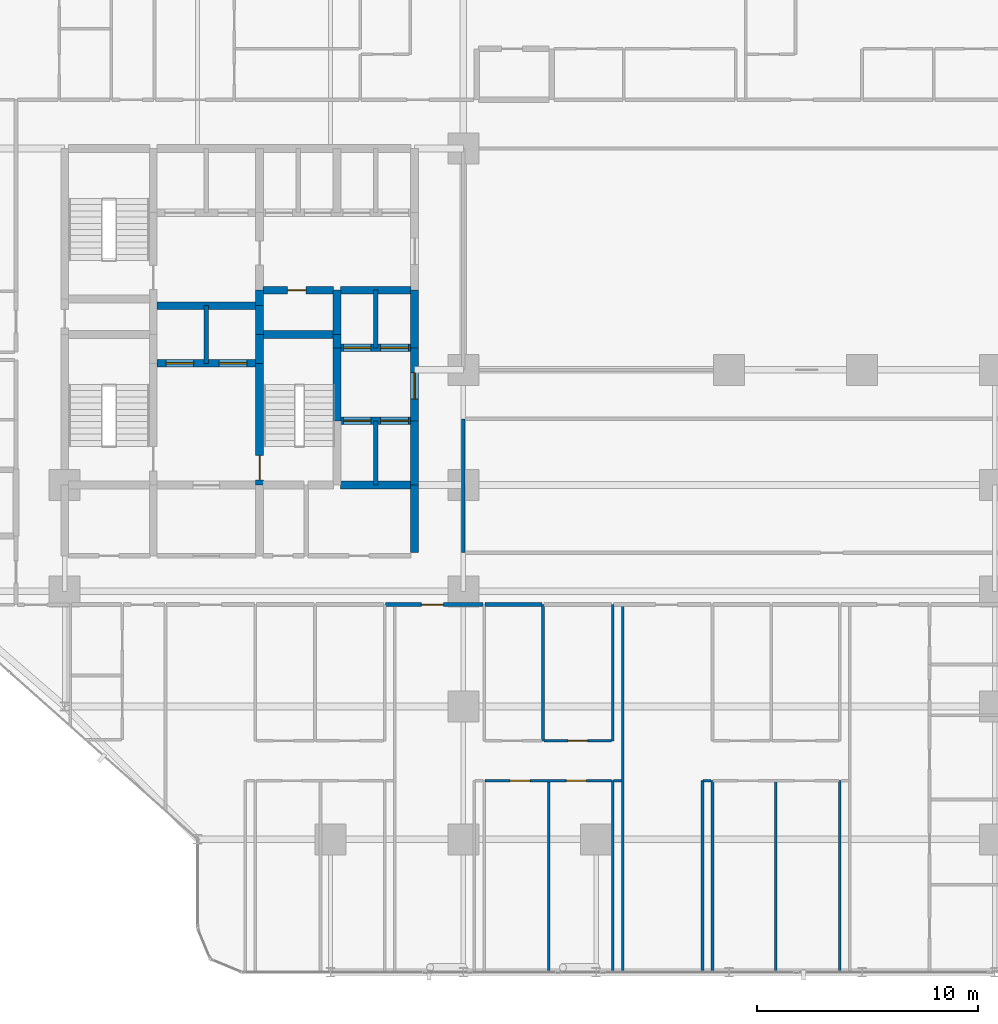
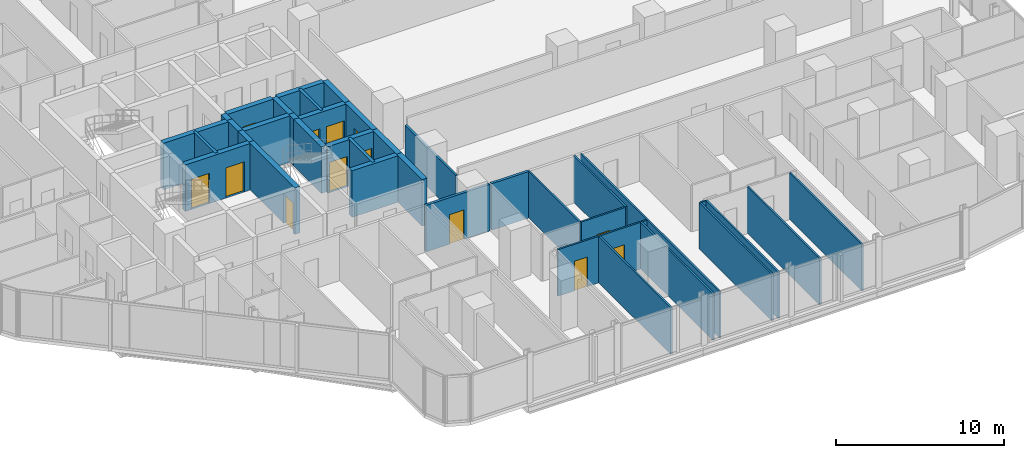
# One storey, part 28 of 34: 38 walls, 13 doors, 13 openings.
"""IFC4 building model written with IfcOpenShell, lengths in metres."""

from ifc_helpers import new_model, si_unit, direction, frame, frame_2d, origin, place, context, subcontext, project, spatial, rectangle, extrude, material, layer, layer_set, type_object, element, fill, save


model = new_model("IFC4")

# Units and contexts
model_context = context("Model", 3, precision=1e-05, world=origin(), true_north=direction((0.0, 1.0)))
body_context = subcontext(model_context, "Body", "Model", "MODEL_VIEW")
ifc_project = project(units=[si_unit("LENGTHUNIT", "METRE"), si_unit("AREAUNIT", "SQUARE_METRE"), si_unit("VOLUMEUNIT", "CUBIC_METRE"), si_unit("PLANEANGLEUNIT", "RADIAN"), si_unit("MASSUNIT", "GRAM", prefix="KILO")], contexts=[model_context])

# Site, building, storey
site_placement = place(None, origin())
site = spatial("IfcSite", under=ifc_project, at=site_placement, CompositionType="ELEMENT")
building_placement = place(site_placement, origin())
building = spatial("IfcBuilding", under=site, at=building_placement, Name="Keshet Zoharim Tower", CompositionType="ELEMENT")
storey_placement = place(building_placement, frame((0.0, 0.0, 31.39990234375)))
storey = spatial("IfcBuildingStorey", under=building, at=storey_placement, Name="L06", CompositionType="ELEMENT", Elevation=31.39990234375)

# Wall
ifc_material_1 = material(Name="Gypsum Plasterboard", Category="gypsum")
ifc_layer_1 = layer(ifc_material_1, 0.14990234375)
ifc_layer_set_1 = layer_set([ifc_layer_1], Name="Gypsum Plasterboard")
wall_type_1 = type_object("IfcWallType", Name="WL-CLIN-150", PredefinedType="STANDARD", material=ifc_layer_set_1)
wall_1_placement = place(storey_placement, frame((33.0, 19.659912109375, 0.0), z_axis=(0.0, 0.0, 1.0), x_axis=(0.0, 1.0, 0.0)))
element("IfcWall", 1, at=wall_1_placement, inside=storey, type_object=wall_type_1, Name="L06 Interior Wall 072", PredefinedType="STANDARD", context=body_context, shape_type="SweptSolid", body=[
    extrude(rectangle(XDim=6.030029296875, YDim=0.14990234375, at=frame_2d((3.01513671875, 0.0))), origin(), (0.0, 0.0, 1.0), 2.885009765625),
])

# Wall, opening, door
ifc_material_2 = material(Name="Concrete C60/75", Category="concrete")
ifc_layer_2 = layer(ifc_material_2, 0.35009765625)
ifc_layer_set_2 = layer_set([ifc_layer_2], Name="Concrete C60/75")
wall_type_2 = type_object("IfcWallType", Name="WL-CORE-350", PredefinedType="SHEAR", material=ifc_layer_set_2)
wall_2_placement = place(storey_placement, frame((23.800048828125, 22.699951171875, 0.0), z_axis=(0.0, 0.0, 1.0), x_axis=(0.0, 1.0, 0.0)))
wall_2 = element("IfcWall", 2, at=wall_2_placement, inside=storey, type_object=wall_type_2, Name="L06 Core Shear Wall 041", PredefinedType="SHEAR", context=body_context, shape_type="SweptSolid", body=[
    extrude(rectangle(XDim=5.5, YDim=0.35009765625, at=frame_2d((2.75, 0.0))), origin(), (0.0, 0.0, 1.0), 3.385009765625),
])
opening_1_placement = place(wall_2_placement, frame((0.235107421875, 0.0, 0.0)))
opening_1 = element("IfcOpeningElement", 3, at=opening_1_placement, cuts=wall_2, Name="Opening D-F611", PredefinedType="OPENING", context=body_context, shape_type="SweptSolid", body=[
    extrude(rectangle(XDim=1.10009765625, YDim=2.14990234375, at=frame_2d((0.550048828125, 1.074951171875))), frame((0.0, 0.18505859375, 0.0), z_axis=(0.0, -1.0, 0.0), x_axis=(1.0, 0.0, 0.0)), (0.0, 0.0, 1.0), 0.3701171875),
])
ifc_material_3 = material(Name="Hardwood Timber", Category="wood")
door_type_1 = type_object("IfcDoorType", Name="DR-FD60-110", OperationType="NOTDEFINED", PredefinedType="DOOR", material=ifc_material_3)
door_1_placement = place(opening_1_placement, frame((1.10009765625, 0.0, 0.0), z_axis=(0.0, 0.0, 1.0), x_axis=(-1.0, 0.0, 0.0)))
door_1 = element("IfcDoor", 4, at=door_1_placement, inside=storey, type_object=door_type_1, Name="L06 Exit Stair ST-03 Fire Door", OperationType="SINGLE_SWING_LEFT", OverallHeight=2.14990234375, OverallWidth=1.10009765625, PredefinedType="DOOR", context=body_context, shape_type="SweptSolid", body=[
    extrude(rectangle(XDim=1.10009765625, YDim=2.14990234375, at=frame_2d((0.550048828125, 1.074951171875))), frame((0.0, 0.02490234375, 0.0), z_axis=(0.0, -1.0, 0.0), x_axis=(1.0, 0.0, 0.0)), (0.0, 0.0, 1.0), 0.050048828125),
])
fill(opening_1, door_1)

# Walls
for number, where, z_axis, x_axis, name in (
    (5, (23.800048828125, 28.199951171875, 0.0), (0.0, 0.0, 1.0), (0.0, 1.0, 0.0), "L06 Core Shear Wall 042"),
    (6, (23.800048828125, 29.5, 0.0), (0.0, 0.0, 1.0), (0.0, 1.0, 0.0), "L06 Core Shear Wall 043"),
):
    element("IfcWall", number, at=place(storey_placement, frame(where, z_axis=z_axis, x_axis=x_axis)), inside=storey, type_object=wall_type_2, Name=name, PredefinedType="SHEAR", context=body_context, shape_type="SweptSolid", body=[
        extrude(rectangle(XDim=1.300048828125, YDim=0.35009765625, at=frame_2d((0.64990234375, 0.0))), origin(), (0.0, 0.0, 1.0), 3.385009765625),
    ])
wall_3_placement = place(storey_placement, frame((23.800048828125, 30.800048828125, 0.0), z_axis=(0.0, 0.0, 1.0), x_axis=(0.0, 1.0, 0.0)))
element("IfcWall", 7, at=wall_3_placement, inside=storey, type_object=wall_type_2, Name="L06 Core Shear Wall 044", PredefinedType="SHEAR", context=body_context, shape_type="SweptSolid", body=[
    extrude(rectangle(XDim=0.699951171875, YDim=0.35009765625, at=frame_2d((0.35009765625, 0.0))), origin(), (0.0, 0.0, 1.0), 3.385009765625),
])
wall_4_placement = place(storey_placement, frame((27.300048828125, 25.60009765625, 0.0), z_axis=(0.0, 0.0, 1.0), x_axis=(0.0, 1.0, 0.0)))
element("IfcWall", 8, at=wall_4_placement, inside=storey, type_object=wall_type_2, Name="L06 Core Shear Wall 052", PredefinedType="SHEAR", context=body_context, shape_type="SweptSolid", body=[
    extrude(rectangle(XDim=3.2998046875, YDim=0.35009765625, at=frame_2d((1.64990234375, 0.0))), origin(), (0.0, 0.0, 1.0), 3.385009765625),
])
wall_5_placement = place(storey_placement, frame((27.300048828125, 28.89990234375, 0.0), z_axis=(0.0, 0.0, 1.0), x_axis=(0.0, 1.0, 0.0)))
element("IfcWall", 9, at=wall_5_placement, inside=storey, type_object=wall_type_2, Name="L06 Core Shear Wall 053", PredefinedType="SHEAR", context=body_context, shape_type="SweptSolid", body=[
    extrude(rectangle(XDim=0.60009765625, YDim=0.35009765625, at=frame_2d((0.300048828125, 0.0))), origin(), (0.0, 0.0, 1.0), 3.385009765625),
])
wall_6_placement = place(storey_placement, frame((27.300048828125, 29.5, 0.0), z_axis=(0.0, 0.0, 1.0), x_axis=(0.0, 1.0, 0.0)))
element("IfcWall", 10, at=wall_6_placement, inside=storey, type_object=wall_type_2, Name="L06 Core Shear Wall 054", PredefinedType="SHEAR", context=body_context, shape_type="SweptSolid", body=[
    extrude(rectangle(XDim=2.0, YDim=0.35009765625, at=frame_2d((1.0, 0.0))), origin(), (0.0, 0.0, 1.0), 3.385009765625),
])
wall_7_placement = place(storey_placement, frame((30.800048828125, 19.64990234375, 0.0), z_axis=(0.0, 0.0, 1.0), x_axis=(0.0, 1.0, 0.0)))
element("IfcWall", 11, at=wall_7_placement, inside=storey, type_object=wall_type_2, Name="L06 Core Shear Wall 066", PredefinedType="SHEAR", context=body_context, shape_type="SweptSolid", body=[
    extrude(rectangle(XDim=3.050048828125, YDim=0.35009765625, at=frame_2d((1.52490234375, 0.0))), origin(), (0.0, 0.0, 1.0), 3.385009765625),
])
wall_8_placement = place(storey_placement, frame((30.800048828125, 22.699951171875, 0.0), z_axis=(0.0, 0.0, 1.0), x_axis=(0.0, 1.0, 0.0)))
element("IfcWall", 12, at=wall_8_placement, inside=storey, type_object=wall_type_2, Name="L06 Core Shear Wall 067", PredefinedType="SHEAR", context=body_context, shape_type="SweptSolid", body=[
    extrude(rectangle(XDim=2.900146484375, YDim=0.35009765625, at=frame_2d((1.4501953125, 0.0))), origin(), (0.0, 0.0, 1.0), 3.385009765625),
])

# Wall, opening, door
wall_9_placement = place(storey_placement, frame((30.800048828125, 25.60009765625, 0.0), z_axis=(0.0, 0.0, 1.0), x_axis=(0.0, 1.0, 0.0)))
wall_9 = element("IfcWall", 13, at=wall_9_placement, inside=storey, type_object=wall_type_2, Name="L06 Core Shear Wall 068", PredefinedType="SHEAR", context=body_context, shape_type="SweptSolid", body=[
    extrude(rectangle(XDim=3.2998046875, YDim=0.35009765625, at=frame_2d((1.64990234375, 0.0))), origin(), (0.0, 0.0, 1.0), 3.385009765625),
])
opening_2_placement = place(wall_9_placement, frame((0.97802734375, 0.0, 0.0)))
opening_2 = element("IfcOpeningElement", 14, at=opening_2_placement, cuts=wall_9, Name="Opening D-F612", PredefinedType="OPENING", context=body_context, shape_type="SweptSolid", body=[
    extrude(rectangle(XDim=1.199951171875, YDim=2.199951171875, at=frame_2d((0.60009765625, 1.10009765625))), frame((0.0, 0.18505859375, 0.0), z_axis=(0.0, -1.0, 0.0), x_axis=(1.0, 0.0, 0.0)), (0.0, 0.0, 1.0), 0.3701171875),
])
door_type_2 = type_object("IfcDoorType", Name="DR-FD60-120", OperationType="NOTDEFINED", PredefinedType="DOOR", material=ifc_material_3)
door_2_placement = place(opening_2_placement, origin())
door_2 = element("IfcDoor", 15, at=door_2_placement, inside=storey, type_object=door_type_2, Name="L06 East Lift Lobby Fire Door", OperationType="SINGLE_SWING_LEFT", OverallHeight=2.199951171875, OverallWidth=1.199951171875, PredefinedType="DOOR", context=body_context, shape_type="SweptSolid", body=[
    extrude(rectangle(XDim=1.199951171875, YDim=2.199951171875, at=frame_2d((0.60009765625, 1.10009765625))), frame((0.0, 0.02490234375, 0.0), z_axis=(0.0, -1.0, 0.0), x_axis=(1.0, 0.0, 0.0)), (0.0, 0.0, 1.0), 0.050048828125),
])
fill(opening_2, door_2)

# Walls
wall_10_placement = place(storey_placement, frame((30.800048828125, 28.89990234375, 0.0), z_axis=(0.0, 0.0, 1.0), x_axis=(0.0, 1.0, 0.0)))
element("IfcWall", 16, at=wall_10_placement, inside=storey, type_object=wall_type_2, Name="L06 Core Shear Wall 069", PredefinedType="SHEAR", context=body_context, shape_type="SweptSolid", body=[
    extrude(rectangle(XDim=2.60009765625, YDim=0.35009765625, at=frame_2d((1.300048828125, 0.0))), origin(), (0.0, 0.0, 1.0), 3.385009765625),
])
wall_11_placement = place(storey_placement, frame((27.4599609375, 22.699951171875, 0.0), z_axis=(0.0, 0.0, 1.0), x_axis=(1.0, 0.0, 0.0)))
element("IfcWall", 17, at=wall_11_placement, inside=storey, type_object=wall_type_2, Name="L06 Core Shear Wall 175", PredefinedType="SHEAR", context=body_context, shape_type="SweptSolid", body=[
    extrude(rectangle(XDim=3.179931640625, YDim=0.35009765625, at=frame_2d((1.58984375, 0.0))), origin(), (0.0, 0.0, 1.0), 3.385009765625),
])

# Wall, openings, doors
wall_12_placement = place(storey_placement, frame((27.4599609375, 25.60009765625, 0.0), z_axis=(0.0, 0.0, 1.0), x_axis=(1.0, 0.0, 0.0)))
wall_12 = element("IfcWall", 18, at=wall_12_placement, inside=storey, type_object=wall_type_2, Name="L06 Core Shear Wall 178", PredefinedType="SHEAR", context=body_context, shape_type="SweptSolid", body=[
    extrude(rectangle(XDim=3.179931640625, YDim=0.35009765625, at=frame_2d((1.58984375, 0.0))), origin(), (0.0, 0.0, 1.0), 3.385009765625),
])
opening_3_placement = place(wall_12_placement, frame((0.1201171875, 0.0, 0.0)))
opening_3 = element("IfcOpeningElement", 19, at=opening_3_placement, cuts=wall_12, Name="Opening LD-01", PredefinedType="OPENING", context=body_context, shape_type="SweptSolid", body=[
    extrude(rectangle(XDim=1.25, YDim=2.199951171875, at=frame_2d((0.625, 1.10009765625))), frame((0.0, 0.18505859375, 0.0), z_axis=(0.0, -1.0, 0.0), x_axis=(1.0, 0.0, 0.0)), (0.0, 0.0, 1.0), 0.3701171875),
])
opening_4_placement = place(wall_12_placement, frame((1.81005859375, 0.0, 0.0)))
opening_4 = element("IfcOpeningElement", 20, at=opening_4_placement, cuts=wall_12, Name="Opening LD-01", PredefinedType="OPENING", context=body_context, shape_type="SweptSolid", body=[
    extrude(rectangle(XDim=1.25, YDim=2.199951171875, at=frame_2d((0.625, 1.10009765625))), frame((0.0, 0.18505859375, 0.0), z_axis=(0.0, -1.0, 0.0), x_axis=(1.0, 0.0, 0.0)), (0.0, 0.0, 1.0), 0.3701171875),
])
ifc_material_4 = material(Name="Steel S355", Category="steel")
door_type_3 = type_object("IfcDoorType", Name="DR-LD01-125", OperationType="DOUBLE_DOOR_SLIDING", PredefinedType="DOOR", material=ifc_material_4)
door_3_placement = place(opening_3_placement, origin())
door_3 = element("IfcDoor", 21, at=door_3_placement, inside=storey, type_object=door_type_3, Name="L06 Passenger Lift Landing Door LF-07", OperationType="DOUBLE_DOOR_SLIDING", OverallHeight=2.199951171875, OverallWidth=1.25, PredefinedType="DOOR", context=body_context, shape_type="SweptSolid", body=[
    extrude(rectangle(XDim=1.25, YDim=2.199951171875, at=frame_2d((0.625, 1.10009765625))), frame((0.0, 0.02490234375, 0.0), z_axis=(0.0, -1.0, 0.0), x_axis=(1.0, 0.0, 0.0)), (0.0, 0.0, 1.0), 0.050048828125),
])
fill(opening_3, door_3)
door_4_placement = place(opening_4_placement, origin())
door_4 = element("IfcDoor", 22, at=door_4_placement, inside=storey, type_object=door_type_3, Name="L06 Passenger Lift Landing Door LF-08", OperationType="DOUBLE_DOOR_SLIDING", OverallHeight=2.199951171875, OverallWidth=1.25, PredefinedType="DOOR", context=body_context, shape_type="SweptSolid", body=[
    extrude(rectangle(XDim=1.25, YDim=2.199951171875, at=frame_2d((0.625, 1.10009765625))), frame((0.0, 0.02490234375, 0.0), z_axis=(0.0, -1.0, 0.0), x_axis=(1.0, 0.0, 0.0)), (0.0, 0.0, 1.0), 0.050048828125),
])
fill(opening_4, door_4)

wall_13_placement = place(storey_placement, frame((19.159912109375, 28.199951171875, 0.0), z_axis=(0.0, 0.0, 1.0), x_axis=(1.0, 0.0, 0.0)))
wall_13 = element("IfcWall", 23, at=wall_13_placement, inside=storey, type_object=wall_type_2, Name="L06 Core Shear Wall 183", PredefinedType="SHEAR", context=body_context, shape_type="SweptSolid", body=[
    extrude(rectangle(XDim=4.47998046875, YDim=0.35009765625, at=frame_2d((2.239990234375, 0.0))), origin(), (0.0, 0.0, 1.0), 3.385009765625),
])
opening_5_placement = place(wall_13_placement, frame((0.4150390625, 0.0, 0.0)))
opening_5 = element("IfcOpeningElement", 24, at=opening_5_placement, cuts=wall_13, Name="Opening LD-01", PredefinedType="OPENING", context=body_context, shape_type="SweptSolid", body=[
    extrude(rectangle(XDim=1.25, YDim=2.199951171875, at=frame_2d((0.625, 1.10009765625))), frame((0.0, 0.18505859375, 0.0), z_axis=(0.0, -1.0, 0.0), x_axis=(1.0, 0.0, 0.0)), (0.0, 0.0, 1.0), 0.3701171875),
])
opening_6_placement = place(wall_13_placement, frame((2.81494140625, 0.0, 0.0)))
opening_6 = element("IfcOpeningElement", 25, at=opening_6_placement, cuts=wall_13, Name="Opening LD-01", PredefinedType="OPENING", context=body_context, shape_type="SweptSolid", body=[
    extrude(rectangle(XDim=1.25, YDim=2.199951171875, at=frame_2d((0.625, 1.10009765625))), frame((0.0, 0.18505859375, 0.0), z_axis=(0.0, -1.0, 0.0), x_axis=(1.0, 0.0, 0.0)), (0.0, 0.0, 1.0), 0.3701171875),
])
door_5_placement = place(opening_5_placement, origin())
door_5 = element("IfcDoor", 26, at=door_5_placement, inside=storey, type_object=door_type_3, Name="L06 Passenger Lift Landing Door LF-09", OperationType="DOUBLE_DOOR_SLIDING", OverallHeight=2.199951171875, OverallWidth=1.25, PredefinedType="DOOR", context=body_context, shape_type="SweptSolid", body=[
    extrude(rectangle(XDim=1.25, YDim=2.199951171875, at=frame_2d((0.625, 1.10009765625))), frame((0.0, 0.02490234375, 0.0), z_axis=(0.0, -1.0, 0.0), x_axis=(1.0, 0.0, 0.0)), (0.0, 0.0, 1.0), 0.050048828125),
])
fill(opening_5, door_5)
door_6_placement = place(opening_6_placement, origin())
door_6 = element("IfcDoor", 27, at=door_6_placement, inside=storey, type_object=door_type_3, Name="L06 Passenger Lift Landing Door LF-10", OperationType="DOUBLE_DOOR_SLIDING", OverallHeight=2.199951171875, OverallWidth=1.25, PredefinedType="DOOR", context=body_context, shape_type="SweptSolid", body=[
    extrude(rectangle(XDim=1.25, YDim=2.199951171875, at=frame_2d((0.625, 1.10009765625))), frame((0.0, 0.02490234375, 0.0), z_axis=(0.0, -1.0, 0.0), x_axis=(1.0, 0.0, 0.0)), (0.0, 0.0, 1.0), 0.050048828125),
])
fill(opening_6, door_6)

wall_14_placement = place(storey_placement, frame((27.4599609375, 28.89990234375, 0.0), z_axis=(0.0, 0.0, 1.0), x_axis=(1.0, 0.0, 0.0)))
wall_14 = element("IfcWall", 28, at=wall_14_placement, inside=storey, type_object=wall_type_2, Name="L06 Core Shear Wall 188", PredefinedType="SHEAR", context=body_context, shape_type="SweptSolid", body=[
    extrude(rectangle(XDim=3.179931640625, YDim=0.35009765625, at=frame_2d((1.58984375, 0.0))), origin(), (0.0, 0.0, 1.0), 3.385009765625),
])
opening_7_placement = place(wall_14_placement, frame((0.1201171875, 0.0, 0.0)))
opening_7 = element("IfcOpeningElement", 29, at=opening_7_placement, cuts=wall_14, Name="Opening LD-01", PredefinedType="OPENING", context=body_context, shape_type="SweptSolid", body=[
    extrude(rectangle(XDim=1.25, YDim=2.199951171875, at=frame_2d((0.625, 1.10009765625))), frame((0.0, 0.18505859375, 0.0), z_axis=(0.0, -1.0, 0.0), x_axis=(1.0, 0.0, 0.0)), (0.0, 0.0, 1.0), 0.3701171875),
])
opening_8_placement = place(wall_14_placement, frame((1.81005859375, 0.0, 0.0)))
opening_8 = element("IfcOpeningElement", 30, at=opening_8_placement, cuts=wall_14, Name="Opening LD-01", PredefinedType="OPENING", context=body_context, shape_type="SweptSolid", body=[
    extrude(rectangle(XDim=1.25, YDim=2.199951171875, at=frame_2d((0.625, 1.10009765625))), frame((0.0, 0.18505859375, 0.0), z_axis=(0.0, -1.0, 0.0), x_axis=(1.0, 0.0, 0.0)), (0.0, 0.0, 1.0), 0.3701171875),
])
door_7_placement = place(opening_7_placement, origin())
door_7 = element("IfcDoor", 31, at=door_7_placement, inside=storey, type_object=door_type_3, Name="L06 Passenger Lift Landing Door LF-05", OperationType="DOUBLE_DOOR_SLIDING", OverallHeight=2.199951171875, OverallWidth=1.25, PredefinedType="DOOR", context=body_context, shape_type="SweptSolid", body=[
    extrude(rectangle(XDim=1.25, YDim=2.199951171875, at=frame_2d((0.625, 1.10009765625))), frame((0.0, 0.02490234375, 0.0), z_axis=(0.0, -1.0, 0.0), x_axis=(1.0, 0.0, 0.0)), (0.0, 0.0, 1.0), 0.050048828125),
])
fill(opening_7, door_7)
door_8_placement = place(opening_8_placement, origin())
door_8 = element("IfcDoor", 32, at=door_8_placement, inside=storey, type_object=door_type_3, Name="L06 Passenger Lift Landing Door LF-06", OperationType="DOUBLE_DOOR_SLIDING", OverallHeight=2.199951171875, OverallWidth=1.25, PredefinedType="DOOR", context=body_context, shape_type="SweptSolid", body=[
    extrude(rectangle(XDim=1.25, YDim=2.199951171875, at=frame_2d((0.625, 1.10009765625))), frame((0.0, 0.02490234375, 0.0), z_axis=(0.0, -1.0, 0.0), x_axis=(1.0, 0.0, 0.0)), (0.0, 0.0, 1.0), 0.050048828125),
])
fill(opening_8, door_8)

# Walls
wall_15_placement = place(storey_placement, frame((23.9599609375, 29.5, 0.0), z_axis=(0.0, 0.0, 1.0), x_axis=(1.0, 0.0, 0.0)))
element("IfcWall", 33, at=wall_15_placement, inside=storey, type_object=wall_type_2, Name="L06 Core Shear Wall 190", PredefinedType="SHEAR", context=body_context, shape_type="SweptSolid", body=[
    extrude(rectangle(XDim=3.179931640625, YDim=0.35009765625, at=frame_2d((1.58984375, 0.0))), origin(), (0.0, 0.0, 1.0), 3.385009765625),
])
wall_16_placement = place(storey_placement, frame((19.159912109375, 30.800048828125, 0.0), z_axis=(0.0, 0.0, 1.0), x_axis=(1.0, 0.0, 0.0)))
element("IfcWall", 34, at=wall_16_placement, inside=storey, type_object=wall_type_2, Name="L06 Core Shear Wall 191", PredefinedType="SHEAR", context=body_context, shape_type="SweptSolid", body=[
    extrude(rectangle(XDim=4.47998046875, YDim=0.35009765625, at=frame_2d((2.239990234375, 0.0))), origin(), (0.0, 0.0, 1.0), 3.385009765625),
])

# Wall, opening, door
wall_17_placement = place(storey_placement, frame((23.9599609375, 31.5, 0.0), z_axis=(0.0, 0.0, 1.0), x_axis=(1.0, 0.0, 0.0)))
wall_17 = element("IfcWall", 35, at=wall_17_placement, inside=storey, type_object=wall_type_2, Name="L06 Core Shear Wall 195", PredefinedType="SHEAR", context=body_context, shape_type="SweptSolid", body=[
    extrude(rectangle(XDim=3.179931640625, YDim=0.35009765625, at=frame_2d((1.58984375, 0.0))), origin(), (0.0, 0.0, 1.0), 3.385009765625),
])
opening_9_placement = place(wall_17_placement, frame((1.093994140625, 0.0, 0.0)))
opening_9 = element("IfcOpeningElement", 36, at=opening_9_placement, cuts=wall_17, Name="Opening D-RS85", PredefinedType="OPENING", context=body_context, shape_type="SweptSolid", body=[
    extrude(rectangle(XDim=0.85009765625, YDim=2.10009765625, at=frame_2d((0.425048828125, 1.050048828125))), frame((0.0, 0.18505859375, 0.0), z_axis=(0.0, -1.0, 0.0), x_axis=(1.0, 0.0, 0.0)), (0.0, 0.0, 1.0), 0.3701171875),
])
door_type_4 = type_object("IfcDoorType", Name="DR-RIS-085", OperationType="NOTDEFINED", PredefinedType="DOOR", material=ifc_material_3)
door_9_placement = place(opening_9_placement, origin())
door_9 = element("IfcDoor", 37, at=door_9_placement, inside=storey, type_object=door_type_4, Name="L06 Telecom Riser Access Cupboard Door", OperationType="SINGLE_SWING_RIGHT", OverallHeight=2.10009765625, OverallWidth=0.85009765625, PredefinedType="DOOR", context=body_context, shape_type="SweptSolid", body=[
    extrude(rectangle(XDim=0.85009765625, YDim=2.10009765625, at=frame_2d((0.425048828125, 1.050048828125))), frame((0.0, 0.02490234375, 0.0), z_axis=(0.0, -1.0, 0.0), x_axis=(1.0, 0.0, 0.0)), (0.0, 0.0, 1.0), 0.050048828125),
])
fill(opening_9, door_9)

# Wall
wall_18_placement = place(storey_placement, frame((27.4599609375, 31.5, 0.0), z_axis=(0.0, 0.0, 1.0), x_axis=(1.0, 0.0, 0.0)))
element("IfcWall", 38, at=wall_18_placement, inside=storey, type_object=wall_type_2, Name="L06 Core Shear Wall 196", PredefinedType="SHEAR", context=body_context, shape_type="SweptSolid", body=[
    extrude(rectangle(XDim=3.179931640625, YDim=0.35009765625, at=frame_2d((1.58984375, 0.0))), origin(), (0.0, 0.0, 1.0), 3.385009765625),
])

# Wall, opening, door
ifc_layer_3 = layer(ifc_material_1, 0.179931640625)
ifc_layer_set_3 = layer_set([ifc_layer_3], Name="Gypsum Plasterboard")
wall_type_3 = type_object("IfcWallType", Name="WL-CORR-180", PredefinedType="STANDARD", material=ifc_layer_set_3)
wall_19_placement = place(storey_placement, frame((29.485107421875, 17.300048828125, 0.0), z_axis=(0.0, 0.0, 1.0), x_axis=(1.0, 0.0, 0.0)))
wall_19 = element("IfcWall", 39, at=wall_19_placement, inside=storey, type_object=wall_type_3, Name="L06 Interior Wall 152", PredefinedType="STANDARD", context=body_context, shape_type="SweptSolid", body=[
    extrude(rectangle(XDim=4.409912109375, YDim=0.179931640625, at=frame_2d((2.205078125, 0.0))), origin(), (0.0, 0.0, 1.0), 3.385009765625),
])
opening_10_placement = place(wall_19_placement, frame((1.616943359375, 0.0, 0.0)))
opening_10 = element("IfcOpeningElement", 40, at=opening_10_placement, cuts=wall_19, Name="Opening D-F310", PredefinedType="OPENING", context=body_context, shape_type="SweptSolid", body=[
    extrude(rectangle(XDim=1.0, YDim=2.14990234375, at=frame_2d((0.5, 1.074951171875))), frame((0.0, 0.10009765625, 0.0), z_axis=(0.0, -1.0, 0.0), x_axis=(1.0, 0.0, 0.0)), (0.0, 0.0, 1.0), 0.199951171875),
])
door_type_5 = type_object("IfcDoorType", Name="DR-FD30-100", OperationType="NOTDEFINED", PredefinedType="DOOR", material=ifc_material_3)
door_10_placement = place(opening_10_placement, origin())
door_10 = element("IfcDoor", 41, at=door_10_placement, inside=storey, type_object=door_type_5, Name="Apartment 0603 Entrance Door", OperationType="SINGLE_SWING_LEFT", OverallHeight=2.14990234375, OverallWidth=1.0, PredefinedType="DOOR", context=body_context, shape_type="SweptSolid", body=[
    extrude(rectangle(XDim=1.0, YDim=2.14990234375, at=frame_2d((0.5, 1.074951171875))), frame((0.0, 0.02490234375, 0.0), z_axis=(0.0, -1.0, 0.0), x_axis=(1.0, 0.0, 0.0)), (0.0, 0.0, 1.0), 0.050048828125),
])
fill(opening_10, door_10)

# Walls
wall_20_placement = place(storey_placement, frame((33.985107421875, 17.300048828125, 0.0), z_axis=(0.0, 0.0, 1.0), x_axis=(1.0, 0.0, 0.0)))
element("IfcWall", 42, at=wall_20_placement, inside=storey, type_object=wall_type_3, Name="L06 Interior Wall 153", PredefinedType="STANDARD", context=body_context, shape_type="SweptSolid", body=[
    extrude(rectangle(XDim=2.572998046875, YDim=0.179931640625, at=frame_2d((1.28662109375, 0.0))), origin(), (0.0, 0.0, 1.0), 3.385009765625),
])
ifc_material_5 = material(Name="Concrete C50/60", Category="concrete")
ifc_layer_4 = layer(ifc_material_5, 0.199951171875)
ifc_layer_set_4 = layer_set([ifc_layer_4], Name="Concrete C50/60")
wall_type_4 = type_object("IfcWallType", Name="WL-FIRE-200", PredefinedType="STANDARD", material=ifc_layer_set_4)
wall_21_placement = place(storey_placement, frame((21.39990234375, 28.199951171875, 0.0), z_axis=(0.0, 0.0, 1.0), x_axis=(0.0, 1.0, 0.0)))
element("IfcWall", 43, at=wall_21_placement, inside=storey, type_object=wall_type_4, Name="L06 Interior Wall 032", PredefinedType="STANDARD", context=body_context, shape_type="SweptSolid", body=[
    extrude(rectangle(XDim=2.60009765625, YDim=0.199951171875, at=frame_2d((1.300048828125, 0.0))), origin(), (0.0, 0.0, 1.0), 3.385009765625),
])
wall_22_placement = place(storey_placement, frame((29.050048828125, 22.699951171875, 0.0), z_axis=(0.0, 0.0, 1.0), x_axis=(0.0, 1.0, 0.0)))
element("IfcWall", 44, at=wall_22_placement, inside=storey, type_object=wall_type_4, Name="L06 Interior Wall 059", PredefinedType="STANDARD", context=body_context, shape_type="SweptSolid", body=[
    extrude(rectangle(XDim=2.900146484375, YDim=0.199951171875, at=frame_2d((1.4501953125, 0.0))), origin(), (0.0, 0.0, 1.0), 3.385009765625),
])
wall_23_placement = place(storey_placement, frame((29.050048828125, 28.89990234375, 0.0), z_axis=(0.0, 0.0, 1.0), x_axis=(0.0, 1.0, 0.0)))
element("IfcWall", 45, at=wall_23_placement, inside=storey, type_object=wall_type_4, Name="L06 Interior Wall 060", PredefinedType="STANDARD", context=body_context, shape_type="SweptSolid", body=[
    extrude(rectangle(XDim=2.60009765625, YDim=0.199951171875, at=frame_2d((1.300048828125, 0.0))), origin(), (0.0, 0.0, 1.0), 3.385009765625),
])
ifc_layer_5 = layer(ifc_material_1, 0.1201171875)
ifc_layer_set_5 = layer_set([ifc_layer_5], Name="Gypsum Plasterboard")
wall_type_5 = type_object("IfcWallType", Name="WL-PART-120", PredefinedType="PARTITIONING", material=ifc_layer_set_5)
for number, where, z_axis, x_axis, name in (
    (46, (36.85009765625, 0.7099609375, 0.0), (0.0, 0.0, 1.0), (0.0, 1.0, 0.0), "L06 Interior Wall 082"),
    (47, (39.75, 0.7099609375, 0.0), (0.0, 0.0, 1.0), (0.0, 1.0, 0.0), "L06 Interior Wall 085"),
):
    element("IfcWall", number, at=place(storey_placement, frame(where, z_axis=z_axis, x_axis=x_axis)), inside=storey, type_object=wall_type_5, Name=name, PredefinedType="PARTITIONING", context=body_context, shape_type="SweptSolid", body=[
        extrude(rectangle(XDim=8.64013671875, YDim=0.1201171875, at=frame_2d((4.320068359375, 0.0))), origin(), (0.0, 0.0, 1.0), 3.385009765625),
    ])
wall_24_placement = place(storey_placement, frame((40.199951171875, 0.7099609375, 0.0), z_axis=(0.0, 0.0, 1.0), x_axis=(0.0, 1.0, 0.0)))
element("IfcWall", 48, at=wall_24_placement, inside=storey, type_object=wall_type_5, Name="L06 Interior Wall 087", PredefinedType="PARTITIONING", context=body_context, shape_type="SweptSolid", body=[
    extrude(rectangle(XDim=16.590087890625, YDim=0.1201171875, at=frame_2d((8.294921875, 0.0))), origin(), (0.0, 0.0, 1.0), 3.385009765625),
])
for number, where, z_axis, x_axis, name in (
    (49, (43.800048828125, 0.7099609375, 0.0), (0.0, 0.0, 1.0), (0.0, 1.0, 0.0), "L06 Interior Wall 090"),
    (50, (44.25, 0.7099609375, 0.0), (0.0, 0.0, 1.0), (0.0, 1.0, 0.0), "L06 Interior Wall 091"),
    (51, (47.10009765625, 0.7099609375, 0.0), (0.0, 0.0, 1.0), (0.0, 1.0, 0.0), "L06 Interior Wall 099"),
    (52, (50.0, 0.7099609375, 0.0), (0.0, 0.0, 1.0), (0.0, 1.0, 0.0), "L06 Interior Wall 101"),
):
    element("IfcWall", number, at=place(storey_placement, frame(where, z_axis=z_axis, x_axis=x_axis)), inside=storey, type_object=wall_type_5, Name=name, PredefinedType="PARTITIONING", context=body_context, shape_type="SweptSolid", body=[
        extrude(rectangle(XDim=8.64013671875, YDim=0.1201171875, at=frame_2d((4.320068359375, 0.0))), origin(), (0.0, 0.0, 1.0), 3.385009765625),
    ])

# Wall, openings, doors
wall_25_placement = place(storey_placement, frame((33.985107421875, 9.35009765625, 0.0), z_axis=(0.0, 0.0, 1.0), x_axis=(1.0, 0.0, 0.0)))
wall_25 = element("IfcWall", 53, at=wall_25_placement, inside=storey, type_object=wall_type_5, Name="L06 Interior Wall 128", PredefinedType="PARTITIONING", context=body_context, shape_type="SweptSolid", body=[
    extrude(rectangle(XDim=5.699951171875, YDim=0.1201171875, at=frame_2d((2.85009765625, 0.0))), origin(), (0.0, 0.0, 1.0), 3.385009765625),
])
opening_11_placement = place(wall_25_placement, frame((1.126953125, 0.0, 0.0)))
opening_11 = element("IfcOpeningElement", 54, at=opening_11_placement, cuts=wall_25, Name="Opening D-IN90", PredefinedType="OPENING", context=body_context, shape_type="SweptSolid", body=[
    extrude(rectangle(XDim=0.89990234375, YDim=2.14990234375, at=frame_2d((0.449951171875, 1.074951171875))), frame((0.0, 0.070068359375, 0.0), z_axis=(0.0, -1.0, 0.0), x_axis=(1.0, 0.0, 0.0)), (0.0, 0.0, 1.0), 0.14013671875),
])
opening_12_placement = place(wall_25_placement, frame((3.673095703125, 0.0, 0.0)))
opening_12 = element("IfcOpeningElement", 55, at=opening_12_placement, cuts=wall_25, Name="Opening D-IN90", PredefinedType="OPENING", context=body_context, shape_type="SweptSolid", body=[
    extrude(rectangle(XDim=0.89990234375, YDim=2.14990234375, at=frame_2d((0.449951171875, 1.074951171875))), frame((0.0, 0.070068359375, 0.0), z_axis=(0.0, -1.0, 0.0), x_axis=(1.0, 0.0, 0.0)), (0.0, 0.0, 1.0), 0.14013671875),
])
door_type_6 = type_object("IfcDoorType", Name="DR-INT-090", OperationType="NOTDEFINED", PredefinedType="DOOR", material=ifc_material_3)
door_11_placement = place(opening_11_placement, origin())
door_11 = element("IfcDoor", 56, at=door_11_placement, inside=storey, type_object=door_type_6, Name="Apartment 0603 Bedroom 1 Door", OperationType="SINGLE_SWING_RIGHT", OverallHeight=2.14990234375, OverallWidth=0.89990234375, PredefinedType="DOOR", context=body_context, shape_type="SweptSolid", body=[
    extrude(rectangle(XDim=0.89990234375, YDim=2.14990234375, at=frame_2d((0.449951171875, 1.074951171875))), frame((0.0, 0.02490234375, 0.0), z_axis=(0.0, -1.0, 0.0), x_axis=(1.0, 0.0, 0.0)), (0.0, 0.0, 1.0), 0.050048828125),
])
fill(opening_11, door_11)
door_12_placement = place(opening_12_placement, origin())
door_12 = element("IfcDoor", 57, at=door_12_placement, inside=storey, type_object=door_type_6, Name="Apartment 0603 Bedroom 2 Door", OperationType="SINGLE_SWING_LEFT", OverallHeight=2.14990234375, OverallWidth=0.89990234375, PredefinedType="DOOR", context=body_context, shape_type="SweptSolid", body=[
    extrude(rectangle(XDim=0.89990234375, YDim=2.14990234375, at=frame_2d((0.449951171875, 1.074951171875))), frame((0.0, 0.02490234375, 0.0), z_axis=(0.0, -1.0, 0.0), x_axis=(1.0, 0.0, 0.0)), (0.0, 0.0, 1.0), 0.050048828125),
])
fill(opening_12, door_12)

# Walls
for number, where, z_axis, x_axis, name in (
    (58, (39.77490234375, 9.35009765625, 0.0), (0.0, 0.0, 1.0), (1.0, 0.0, 0.0), "L06 Interior Wall 129"),
    (59, (43.824951171875, 9.35009765625, 0.0), (0.0, 0.0, 1.0), (1.0, 0.0, 0.0), "L06 Interior Wall 130"),
):
    element("IfcWall", number, at=place(storey_placement, frame(where, z_axis=z_axis, x_axis=x_axis)), inside=storey, type_object=wall_type_5, Name=name, PredefinedType="PARTITIONING", context=body_context, shape_type="SweptSolid", body=[
        extrude(rectangle(XDim=0.360107421875, YDim=0.1201171875, at=frame_2d((0.18017578125, 0.0))), origin(), (0.0, 0.0, 1.0), 3.385009765625),
    ])
ifc_layer_6 = layer(ifc_material_1, 0.1201171875)
ifc_layer_set_6 = layer_set([ifc_layer_6], Name="Gypsum Plasterboard")
wall_type_6 = type_object("IfcWallType", Name="WL-WET-120", PredefinedType="PARTITIONING", material=ifc_layer_set_6)
for number, where, z_axis, x_axis, name in (
    (60, (36.60009765625, 11.14990234375, 0.0), (0.0, 0.0, 1.0), (0.0, 1.0, 0.0), "L06 Interior Wall 081"),
    (61, (39.75, 11.14990234375, 0.0), (0.0, 0.0, 1.0), (0.0, 1.0, 0.0), "L06 Interior Wall 086"),
):
    element("IfcWall", number, at=place(storey_placement, frame(where, z_axis=z_axis, x_axis=x_axis)), inside=storey, type_object=wall_type_6, Name=name, PredefinedType="PARTITIONING", context=body_context, shape_type="SweptSolid", body=[
        extrude(rectangle(XDim=6.150146484375, YDim=0.1201171875, at=frame_2d((3.0751953125, 0.0))), origin(), (0.0, 0.0, 1.0), 3.385009765625),
    ])

# Wall, opening, door
wall_26_placement = place(storey_placement, frame((36.64794921875, 11.14990234375, 0.0), z_axis=(0.0, 0.0, 1.0), x_axis=(1.0, 0.0, 0.0)))
wall_26 = element("IfcWall", 62, at=wall_26_placement, inside=storey, type_object=wall_type_6, Name="L06 Interior Wall 136", PredefinedType="PARTITIONING", context=body_context, shape_type="SweptSolid", body=[
    extrude(rectangle(XDim=3.037109375, YDim=0.1201171875, at=frame_2d((1.5185546875, 0.0))), origin(), (0.0, 0.0, 1.0), 3.385009765625),
])
opening_13_placement = place(wall_26_placement, frame((1.068115234375, 0.0, 0.0)))
opening_13 = element("IfcOpeningElement", 63, at=opening_13_placement, cuts=wall_26, Name="Opening D-WT90", PredefinedType="OPENING", context=body_context, shape_type="SweptSolid", body=[
    extrude(rectangle(XDim=0.89990234375, YDim=2.10009765625, at=frame_2d((0.449951171875, 1.050048828125))), frame((0.0, 0.070068359375, 0.0), z_axis=(0.0, -1.0, 0.0), x_axis=(1.0, 0.0, 0.0)), (0.0, 0.0, 1.0), 0.14013671875),
])
door_type_7 = type_object("IfcDoorType", Name="DR-WET-090", OperationType="NOTDEFINED", PredefinedType="DOOR", material=ifc_material_3)
door_13_placement = place(opening_13_placement, origin())
door_13 = element("IfcDoor", 64, at=door_13_placement, inside=storey, type_object=door_type_7, Name="Apartment 0603 Bathroom Door", OperationType="SINGLE_SWING_LEFT", OverallHeight=2.10009765625, OverallWidth=0.89990234375, PredefinedType="DOOR", context=body_context, shape_type="SweptSolid", body=[
    extrude(rectangle(XDim=0.89990234375, YDim=2.10009765625, at=frame_2d((0.449951171875, 1.050048828125))), frame((0.0, 0.02490234375, 0.0), z_axis=(0.0, -1.0, 0.0), x_axis=(1.0, 0.0, 0.0)), (0.0, 0.0, 1.0), 0.050048828125),
])
fill(opening_13, door_13)

save(model, "model.ifc")
